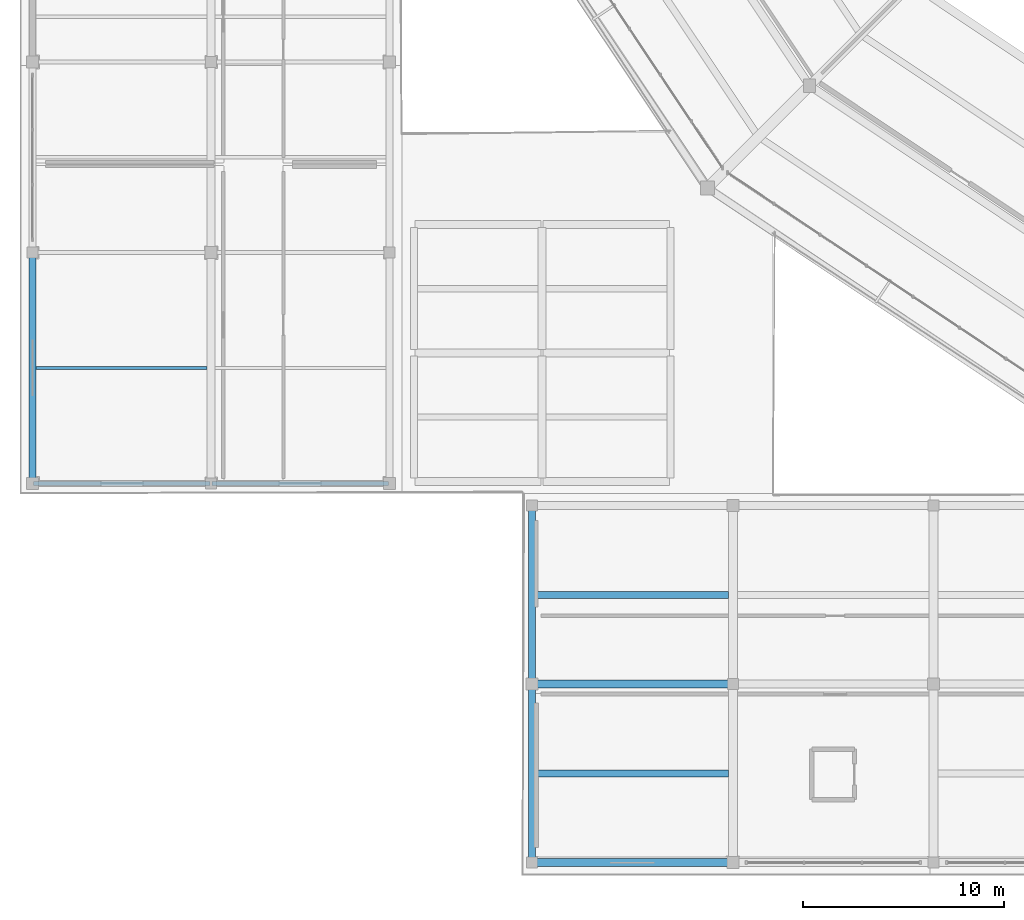
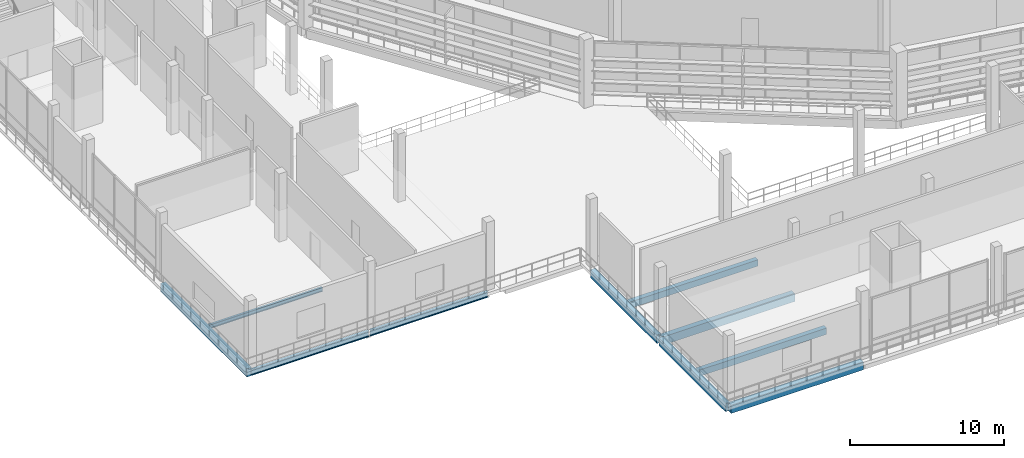
# One storey, part 7 of 111: 10 beams.
"""IFC4 building model written with IfcOpenShell, lengths in metres."""

from ifc_helpers import new_model, si_unit, direction, frame, origin, origin_2d, place, context, subcontext, project, spatial, rectangle, i_section, extrude, material, material_profile, profile_set, type_object, element, save


model = new_model("IFC4")

# Units and contexts
model_context = context("Model", 3, precision=1e-05, world=origin(), true_north=direction((0.0, 1.0)))
body_context = subcontext(model_context, "Body", "Model", "MODEL_VIEW")
ifc_project = project(units=[si_unit("LENGTHUNIT", "METRE"), si_unit("AREAUNIT", "SQUARE_METRE"), si_unit("VOLUMEUNIT", "CUBIC_METRE"), si_unit("PLANEANGLEUNIT", "RADIAN"), si_unit("MASSUNIT", "GRAM", prefix="KILO")], contexts=[model_context])

# Site, building, storey
site_placement = place(None, origin())
site = spatial("IfcSite", under=ifc_project, at=site_placement, CompositionType="ELEMENT")
building_placement = place(site_placement, origin())
building = spatial("IfcBuilding", under=site, at=building_placement, Name="Candeia Ridge Stadium", CompositionType="ELEMENT")
storey_placement = place(building_placement, frame((0.0, 0.0, 16.199951171875)))
storey = spatial("IfcBuildingStorey", under=building, at=storey_placement, Name="L03", CompositionType="ELEMENT", Elevation=16.199951171875)

# Beams
ifc_material_1 = material(Name="Concrete C40/50", Category="concrete")
ifc_material_profile_1 = material_profile(ifc_material_1, rectangle(XDim=0.35009765625, YDim=0.5, at=origin_2d()), Name="RC350x500", Category="concrete")
ifc_profile_set_1 = profile_set([ifc_material_profile_1], Name="Concrete C40/50")
beam_type_1 = type_object("IfcBeamType", Name="Floor Joist RC350x500", PredefinedType="JOIST", material=ifc_profile_set_1)
for number, where, z_axis, x_axis, name in (
    (1, (25.674560546875, 5.050048828125, -0.5), (1.0, 0.0, 0.0), (0.0, 1.0, 0.0), "Wing secondary joist BM-L03-2292"),
    (2, (25.674560546875, 13.949951171875, -0.5), (1.0, 0.0, 0.0), (0.0, 1.0, 0.0), "Wing secondary joist BM-L03-2294"),
):
    element("IfcBeam", number, at=place(storey_placement, frame(where, z_axis=z_axis, x_axis=x_axis)), inside=storey, type_object=beam_type_1, Name=name, PredefinedType="JOIST", context=body_context, shape_type="SweptSolid", body=[
        extrude(rectangle(XDim=0.35009765625, YDim=0.5, at=origin_2d()), origin(), (0.0, 0.0, 1.0), 9.600830078125),
    ])
ifc_material_2 = material(Name="Steel ASTM A572 Grade 50", Category="steel")
ifc_material_profile_2 = material_profile(ifc_material_2, i_section(OverallWidth=0.1669921875, OverallDepth=0.31689453125, WebThickness=0.007568359375, FlangeThickness=0.01318359375, FilletRadius=0.011962890625, at=origin_2d()), Name="W310x52", Category="steel")
ifc_profile_set_2 = profile_set([ifc_material_profile_2], Name="Steel ASTM A572 Grade 50")
beam_type_2 = type_object("IfcBeamType", Name="Pavilion Secondary Joist W310x52", PredefinedType="JOIST", material=ifc_profile_set_2)
beam_1_placement = place(storey_placement, frame((0.7744140625, 25.25, -0.408447265625), z_axis=(1.0, 0.0, 0.0), x_axis=(0.0, 1.0, 0.0)))
element("IfcBeam", 3, at=beam_1_placement, inside=storey, type_object=beam_type_2, Name="Wing secondary joist BM-L03-1232", PredefinedType="JOIST", context=body_context, shape_type="SweptSolid", body=[
    extrude(i_section(OverallWidth=0.1669921875, OverallDepth=0.31689453125, WebThickness=0.007568359375, FlangeThickness=0.01318359375, FilletRadius=0.011962890625, at=origin_2d()), origin(), (0.0, 0.0, 1.0), 8.526123046875),
])
ifc_material_profile_3 = material_profile(ifc_material_2, i_section(OverallWidth=0.18994140625, OverallDepth=0.45703125, WebThickness=0.009033203125, FlangeThickness=0.014404296875, FilletRadius=0.012939453125, at=origin_2d()), Name="W460x74", Category="steel")
ifc_profile_set_3 = profile_set([ifc_material_profile_3], Name="Steel ASTM A572 Grade 50")
beam_type_3 = type_object("IfcBeamType", Name="Pavilion Steel Girder W460x74", PredefinedType="BEAM", material=ifc_profile_set_3)
for number, where, z_axis, x_axis, name in (
    (4, (0.64990234375, 19.5, -0.478515625), (1.0, 0.0, 0.0), (0.0, 1.0, 0.0), "Structural girder BM-L03-1231"),
    (5, (9.550048828125, 19.5, -0.478515625), (1.0, 0.0, 0.0), (0.0, 1.0, 0.0), "Structural girder BM-L03-1249"),
):
    element("IfcBeam", number, at=place(storey_placement, frame(where, z_axis=z_axis, x_axis=x_axis)), inside=storey, type_object=beam_type_3, Name=name, PredefinedType="BEAM", context=body_context, shape_type="SweptSolid", body=[
        extrude(i_section(OverallWidth=0.18994140625, OverallDepth=0.45703125, WebThickness=0.009033203125, FlangeThickness=0.014404296875, FilletRadius=0.012939453125, at=origin_2d()), origin(), (0.0, 0.0, 1.0), 8.800048828125),
    ])
ifc_material_profile_4 = material_profile(ifc_material_1, rectangle(XDim=0.35009765625, YDim=0.64990234375, at=origin_2d()), Name="RC350x650", Category="concrete")
ifc_profile_set_4 = profile_set([ifc_material_profile_4], Name="Concrete C40/50")
beam_type_4 = type_object("IfcBeamType", Name="Spandrel Beam RC350x650", PredefinedType="SPANDREL", material=ifc_profile_set_4)
beam_2_placement = place(storey_placement, frame((0.60009765625, 19.659912109375, -0.574951171875), z_axis=(0.0, 1.0, 0.0), x_axis=(-1.0, 0.0, 0.0)))
element("IfcBeam", 6, at=beam_2_placement, inside=storey, type_object=beam_type_4, Name="Structural girder BM-L03-1193", PredefinedType="SPANDREL", context=body_context, shape_type="SweptSolid", body=[
    extrude(rectangle(XDim=0.35009765625, YDim=0.64990234375, at=origin_2d()), origin(), (0.0, 0.0, 1.0), 11.18017578125),
])
for number, where, z_axis, x_axis, name in (
    (7, (25.5, 0.760009765625, -0.574951171875), (0.0, 1.0, 0.0), (-1.0, 0.0, 0.0), "Structural girder BM-L03-2278"),
    (8, (25.5, 9.659912109375, -0.574951171875), (0.0, 1.0, 0.0), (-1.0, 0.0, 0.0), "Structural girder BM-L03-2279"),
):
    element("IfcBeam", number, at=place(storey_placement, frame(where, z_axis=z_axis, x_axis=x_axis)), inside=storey, type_object=beam_type_4, Name=name, PredefinedType="SPANDREL", context=body_context, shape_type="SweptSolid", body=[
        extrude(rectangle(XDim=0.35009765625, YDim=0.64990234375, at=origin_2d()), origin(), (0.0, 0.0, 1.0), 8.580078125),
    ])
ifc_material_profile_5 = material_profile(ifc_material_1, rectangle(XDim=0.39990234375, YDim=0.64990234375, at=origin_2d()), Name="RC400x650", Category="concrete")
ifc_profile_set_5 = profile_set([ifc_material_profile_5], Name="Concrete C40/50")
beam_type_5 = type_object("IfcBeamType", Name="Wing Primary Girder RC400x650", PredefinedType="BEAM", material=ifc_profile_set_5)
for number, where, z_axis, x_axis, name in (
    (9, (25.550048828125, 0.60009765625, -0.574951171875), (1.0, 0.0, 0.0), (0.0, 1.0, 0.0), "Structural girder BM-L03-2291"),
    (10, (25.550048828125, 9.5, -0.574951171875), (1.0, 0.0, 0.0), (0.0, 1.0, 0.0), "Structural girder BM-L03-2293"),
):
    element("IfcBeam", number, at=place(storey_placement, frame(where, z_axis=z_axis, x_axis=x_axis)), inside=storey, type_object=beam_type_5, Name=name, PredefinedType="BEAM", context=body_context, shape_type="SweptSolid", body=[
        extrude(rectangle(XDim=0.39990234375, YDim=0.64990234375, at=origin_2d()), origin(), (0.0, 0.0, 1.0), 9.89990234375),
    ])

save(model, "model.ifc")
